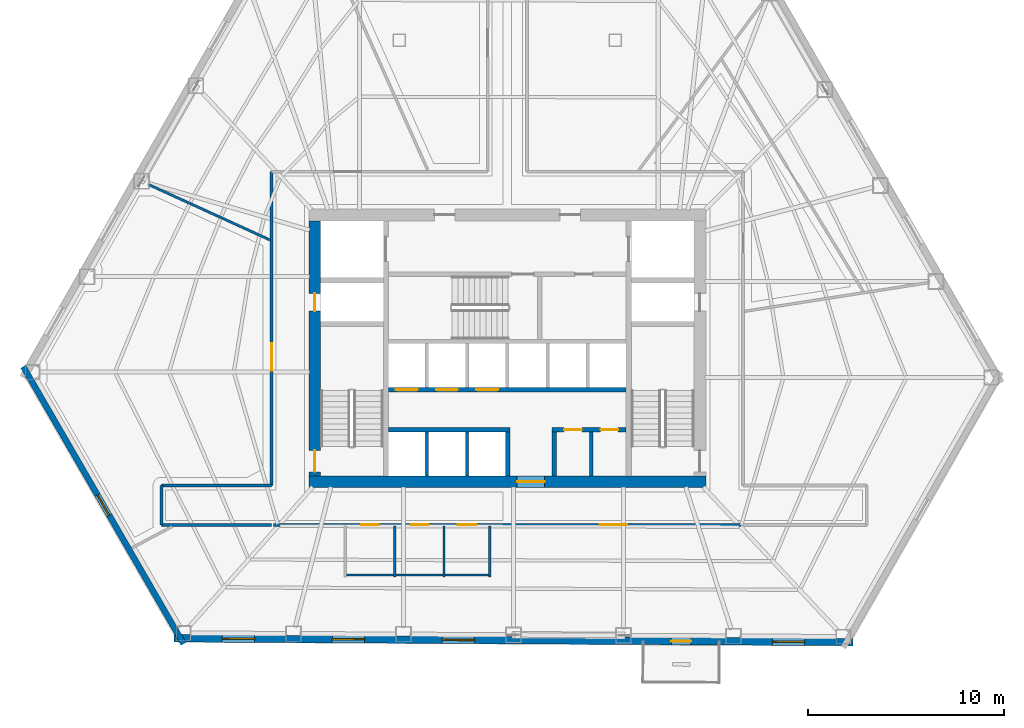
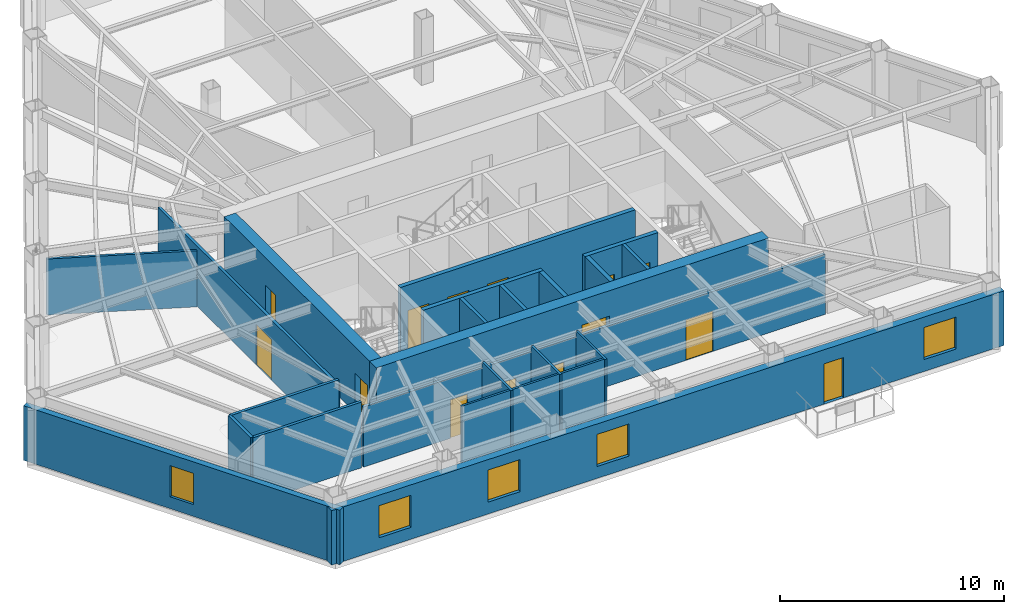
# One storey, part 6 of 12: 22 walls, 14 doors, 5 windows, 19 openings.
"""IFC4 building model written with IfcOpenShell, lengths in metres."""

import ifcopenshell
import ifcopenshell.guid

model = None  # the IFC model being written
_history = None  # IfcOwnerHistory: only IFC2X3 demands one
_inside = {}  # id of a spatial element -> (the spatial element, [elements in it])
_under = {}  # id of a project, library or spatial element -> (it, [spatial elements below it])
_declared = {}  # id of a project -> (the project, [libraries it declares])
_typed = {}  # id of a type object -> (the type object, [elements of that type])
_made_of = {}  # id of a material, layer set ... -> (it, [elements and type objects made of it])


def new_model(schema):
    """Start an empty IFC model of exactly this schema.

    Asked for "IFC4X3", IfcOpenShell would pick the latest addendum, in which some entities
    have other attributes; the version numbers below select the first issue.
    IFC2X3 requires an IfcOwnerHistory on every rooted entity: one is made here for all.
    """
    global model, _history
    if schema == "IFC4X3":
        model = ifcopenshell.file(schema_version=(4, 3, 0, 0))
    else:
        model = ifcopenshell.file(schema=schema)
    _inside.clear()
    _under.clear()
    _declared.clear()
    _typed.clear()
    _made_of.clear()
    _history = None
    if model.schema == "IFC2X3":
        org = make("IfcOrganization", Name="unknown")
        user = make(
            "IfcPersonAndOrganization",
            ThePerson=make("IfcPerson", FamilyName="unknown"),
            TheOrganization=org,
        )
        app = make(
            "IfcApplication",
            ApplicationDeveloper=org,
            Version="unknown",
            ApplicationFullName="unknown",
            ApplicationIdentifier="unknown",
        )
        _history = make(
            "IfcOwnerHistory",
            OwningUser=user,
            OwningApplication=app,
            ChangeAction="ADDED",
            CreationDate=0,
        )
    return model


def make(cls, **values):
    """One entity of the class cls with the attributes given. An attribute that is None is left unset."""
    return model.create_entity(
        cls, **{name: value for name, value in values.items() if value is not None}
    )


def rooted(cls, **values):
    """An entity with a GlobalId (a new one), such as an element, a storey or a relation."""
    return make(cls, GlobalId=ifcopenshell.guid.new(), OwnerHistory=_history, **values)


def si_unit(unit_type, name, prefix=None):
    """IfcSIUnit, for example si_unit("LENGTHUNIT", "METRE", prefix="MILLI")."""
    return make("IfcSIUnit", UnitType=unit_type, Prefix=prefix, Name=name)


def assignment(units):
    """IfcUnitAssignment: the units of a project."""
    return None if units is None else make("IfcUnitAssignment", Units=units)


def point(xyz):
    """IfcCartesianPoint."""
    return None if xyz is None else make("IfcCartesianPoint", Coordinates=xyz)


def direction(xyz):
    """IfcDirection."""
    return None if xyz is None else make("IfcDirection", DirectionRatios=xyz)


def frame(location, z_axis=None, x_axis=None):
    """IfcAxis2Placement3D, a coordinate frame: its origin and axes. An axis left out is left unset."""
    return make(
        "IfcAxis2Placement3D",
        Location=point(location),
        Axis=direction(z_axis),
        RefDirection=direction(x_axis),
    )


def frame_2d(location, x_axis=None):
    """IfcAxis2Placement2D, a coordinate frame in the plane: its origin and x axis."""
    return make(
        "IfcAxis2Placement2D", Location=point(location), RefDirection=direction(x_axis)
    )


def origin():
    """The frame at (0, 0, 0) with its axes left unset."""
    return frame((0.0, 0.0, 0.0))


def place(relative_to, where):
    """IfcLocalPlacement: puts the frame where relative to a parent placement (None: the world)."""
    return make(
        "IfcLocalPlacement", PlacementRelTo=relative_to, RelativePlacement=where
    )


def context(
    kind, dimensions, precision=None, world=None, true_north=None, identifier=None
):
    """IfcGeometricRepresentationContext, for example the 3D "Model" context."""
    return make(
        "IfcGeometricRepresentationContext",
        ContextIdentifier=identifier,
        ContextType=kind,
        CoordinateSpaceDimension=dimensions,
        Precision=precision,
        WorldCoordinateSystem=world,
        TrueNorth=true_north,
    )


def subcontext(parent, identifier, kind, view, scale=None):
    """IfcGeometricRepresentationSubContext, for example "Body" below "Model"."""
    return make(
        "IfcGeometricRepresentationSubContext",
        ContextIdentifier=identifier,
        ContextType=kind,
        ParentContext=parent,
        TargetScale=scale,
        TargetView=view,
    )


def project(units=None, contexts=None):
    """IfcProject with its units and contexts."""
    return rooted(
        "IfcProject",
        Name="project",
        RepresentationContexts=contexts,
        UnitsInContext=assignment(units),
    )


def spatial(cls, under=None, at=None, **own):
    """A site, building, storey or space (cls), placed at a placement, below another one or the project."""
    s = rooted(cls, ObjectPlacement=at, **own)
    if under is not None:
        _under.setdefault(under.id(), (under, []))[1].append(s)
    return s


def profile(cls, at=None, kind="AREA", **sizes):
    """A parametric profile (cls). Its sizes go by their IFC names, for example OverallWidth=200.0."""
    return make(cls, ProfileType=kind, Position=at, **sizes)


def rectangle(**sizes):
    """IfcRectangleProfileDef."""
    return profile("IfcRectangleProfileDef", **sizes)


def extrude(swept, where, along, depth):
    """IfcExtrudedAreaSolid: the profile swept, set in the frame where, extruded along a direction by depth."""
    return make(
        "IfcExtrudedAreaSolid",
        SweptArea=swept,
        Position=where,
        ExtrudedDirection=direction(along),
        Depth=depth,
    )


def shape(context_of_items, identifier, shape_type, items):
    """IfcShapeRepresentation: the items that make up one representation, for example the "Body"."""
    return make(
        "IfcShapeRepresentation",
        ContextOfItems=context_of_items,
        RepresentationIdentifier=identifier,
        RepresentationType=shape_type,
        Items=items,
    )


def material(Name=None, Category=None):
    """IfcMaterial."""
    return make("IfcMaterial", Name=Name, Category=Category)


def layer(
    of_material, thickness, ventilated=None, Name=None, Category=None, Priority=None
):
    """IfcMaterialLayer: one layer of a wall or slab, of a material (None: an air gap)."""
    return make(
        "IfcMaterialLayer",
        Material=of_material,
        LayerThickness=thickness,
        IsVentilated=ventilated,
        Name=Name,
        Category=Category,
        Priority=Priority,
    )


def layer_set(layers, Name=None):
    """IfcMaterialLayerSet."""
    return make("IfcMaterialLayerSet", MaterialLayers=layers, LayerSetName=Name)


def made_of(thing, what):
    """Note that an element or type object is made of a material, layer set ...; save() writes the relation."""
    if what is not None:
        _made_of.setdefault(what.id(), (what, []))[1].append(thing)
    return thing


def type_object(cls, material=None, **own):
    """A type object (cls), such as IfcWallType, which elements share."""
    return made_of(rooted(cls, **own), material)


def element(
    cls,
    number,
    at=None,
    inside=None,
    cuts=None,
    type_object=None,
    material=None,
    context=None,
    identifier="Body",
    shape_type=None,
    held_by="IfcProductDefinitionShape",
    body=None,
    shapes=None,
    **own,
):
    """One element of the class cls, such as IfcWall. Its Tag is "e" and its number.

    at: its placement. inside: the storey or other place that contains it. cuts: it is an
    opening in that element (IfcRelVoidsElement). A single representation is given by context,
    identifier, shape_type and body (its items); several are given by shapes. held_by: the class
    of the entity that holds the representations. save() writes the other relations.
    """
    e = rooted(cls, Tag="e%d" % number, ObjectPlacement=at, **own)
    if body is not None:
        shapes = [shape(context, identifier, shape_type, body)]
    if shapes is not None:
        e.Representation = make(held_by, Representations=shapes)
    if inside is not None:
        _inside.setdefault(inside.id(), (inside, []))[1].append(e)
    if cuts is not None:
        rooted(
            "IfcRelVoidsElement", RelatingBuildingElement=cuts, RelatedOpeningElement=e
        )
    if type_object is not None:
        _typed.setdefault(type_object.id(), (type_object, []))[1].append(e)
    return made_of(e, material)


def fill(opening, filler):
    """IfcRelFillsElement: the door or window that sits in an opening."""
    return rooted(
        "IfcRelFillsElement",
        RelatingOpeningElement=opening,
        RelatedBuildingElement=filler,
    )


def aggregate(whole, parts):
    """IfcRelAggregates: a whole, such as a stair, and the parts it consists of."""
    return rooted("IfcRelAggregates", RelatingObject=whole, RelatedObjects=parts)


def save(model, path):
    """Write the relations noted so far, then the file.

    IfcRelAggregates (storeys below a building ...), IfcRelContainedInSpatialStructure (elements
    in a storey), IfcRelDefinesByType, IfcRelAssociatesMaterial and IfcRelDeclares: one each for
    every whole, place, type object, material and project.
    """
    for whole, parts in _under.values():
        aggregate(whole, parts)
    for where, things in _inside.values():
        rooted(
            "IfcRelContainedInSpatialStructure",
            RelatedElements=things,
            RelatingStructure=where,
        )
    for kind, things in _typed.values():
        rooted("IfcRelDefinesByType", RelatedObjects=things, RelatingType=kind)
    for what, things in _made_of.values():
        rooted("IfcRelAssociatesMaterial", RelatedObjects=things, RelatingMaterial=what)
    for by, libraries in _declared.values():
        rooted("IfcRelDeclares", RelatingContext=by, RelatedDefinitions=libraries)
    model.write(path)


model = new_model("IFC4")

# Units and contexts
model_context = context("Model", 3, precision=1e-05, world=origin(), true_north=direction((0.0, 1.0)))
body_context = subcontext(model_context, "Body", "Model", "MODEL_VIEW")
ifc_project = project(units=[si_unit("LENGTHUNIT", "METRE"), si_unit("AREAUNIT", "SQUARE_METRE"), si_unit("VOLUMEUNIT", "CUBIC_METRE"), si_unit("PLANEANGLEUNIT", "RADIAN"), si_unit("MASSUNIT", "GRAM", prefix="KILO")], contexts=[model_context])

# Site, building, storey
site_placement = place(None, origin())
site = spatial("IfcSite", under=ifc_project, at=site_placement, CompositionType="ELEMENT")
building_placement = place(site_placement, origin())
building = spatial("IfcBuilding", under=site, at=building_placement, Name="Kavelnor Concourse Tower", CompositionType="ELEMENT")
storey_placement = place(building_placement, frame((0.0, 0.0, 40.64990234375)))
storey = spatial("IfcBuildingStorey", under=building, at=storey_placement, Name="L10", CompositionType="ELEMENT", Elevation=40.64990234375)

# Wall, opening, door
ifc_material_1 = material(Name="Concrete C60/75", Category="concrete")
ifc_layer_1 = layer(ifc_material_1, 0.60009765625, Name="Concrete C60/75")
ifc_layer_set_1 = layer_set([ifc_layer_1], Name="Concrete C60/75")
wall_type_1 = type_object("IfcWallType", Name="WL-CORE-Z1-600", PredefinedType="SOLIDWALL", material=ifc_layer_set_1)
wall_1_placement = place(storey_placement, frame((27.8798828125, 9.300048828125, 0.0), z_axis=(0.0, 0.0, 1.0), x_axis=(1.0, 0.0, 0.0)))
wall_1 = element("IfcWall", 1, at=wall_1_placement, inside=storey, type_object=wall_type_1, Name="L10 Central Core South Shear Wall", PredefinedType="SOLIDWALL", context=body_context, shape_type="SweptSolid", body=[
    extrude(rectangle(XDim=20.240234375, YDim=0.60009765625, at=frame_2d((10.1201171875, 0.0))), origin(), (0.0, 0.0, 1.0), 3.590087890625),
])
opening_1_placement = place(wall_1_placement, frame((10.6201171875, 0.0, 0.0)))
opening_1 = element("IfcOpeningElement", 2, at=opening_1_placement, cuts=wall_1, Name="Opening SD-140", PredefinedType="OPENING", context=body_context, shape_type="SweptSolid", body=[
    extrude(rectangle(XDim=1.39990234375, YDim=2.199951171875, at=frame_2d((0.699951171875, 1.10009765625))), frame((0.0, 0.31005859375, 0.0), z_axis=(0.0, -1.0, 0.0), x_axis=(1.0, 0.0, 0.0)), (0.0, 0.0, 1.0), 0.6201171875),
])
ifc_material_2 = material(Name="Solid-core hardwood timber", Category="wood")
door_type_1 = type_object("IfcDoorType", Name="DR-SUITE-ENTRY-1400", OperationType="NOTDEFINED", PredefinedType="DOOR", material=ifc_material_2)
door_1_placement = place(opening_1_placement, origin())
door_1 = element("IfcDoor", 3, at=door_1_placement, inside=storey, type_object=door_type_1, Name="L10 Passenger Lift Lobby Entry Door", OperationType="SINGLE_SWING_LEFT", OverallHeight=2.199951171875, OverallWidth=1.39990234375, PredefinedType="DOOR", context=body_context, shape_type="SweptSolid", body=[
    extrude(rectangle(XDim=1.39990234375, YDim=2.199951171875, at=frame_2d((0.699951171875, 1.10009765625))), frame((0.0, 0.02490234375, 0.0), z_axis=(0.0, -1.0, 0.0), x_axis=(1.0, 0.0, 0.0)), (0.0, 0.0, 1.0), 0.050048828125),
])
fill(opening_1, door_1)

# Wall, openings, doors
wall_2_placement = place(storey_placement, frame((28.179931640625, 9.60009765625, 0.0), z_axis=(0.0, 0.0, 1.0), x_axis=(0.0, 1.0, 0.0)))
wall_2 = element("IfcWall", 4, at=wall_2_placement, inside=storey, type_object=wall_type_1, Name="L10 Central Core West Shear Wall", PredefinedType="SOLIDWALL", context=body_context, shape_type="SweptSolid", body=[
    extrude(rectangle(XDim=13.0, YDim=0.60009765625, at=frame_2d((6.5, 0.0))), origin(), (0.0, 0.0, 1.0), 3.590087890625),
])
opening_2_placement = place(wall_2_placement, frame((0.199951171875, 0.0, 0.0)))
opening_2 = element("IfcOpeningElement", 5, at=opening_2_placement, cuts=wall_2, Name="Opening FD-110", PredefinedType="OPENING", context=body_context, shape_type="SweptSolid", body=[
    extrude(rectangle(XDim=1.10009765625, YDim=2.14990234375, at=frame_2d((0.550048828125, 1.074951171875))), frame((0.0, 0.31005859375, 0.0), z_axis=(0.0, -1.0, 0.0), x_axis=(1.0, 0.0, 0.0)), (0.0, 0.0, 1.0), 0.6201171875),
])
opening_3_placement = place(wall_2_placement, frame((8.39990234375, 0.0, 0.0)))
opening_3 = element("IfcOpeningElement", 6, at=opening_3_placement, cuts=wall_2, Name="Opening FD-090", PredefinedType="OPENING", context=body_context, shape_type="SweptSolid", body=[
    extrude(rectangle(XDim=0.89990234375, YDim=2.10009765625, at=frame_2d((0.449951171875, 1.050048828125))), frame((0.0, 0.31005859375, 0.0), z_axis=(0.0, -1.0, 0.0), x_axis=(1.0, 0.0, 0.0)), (0.0, 0.0, 1.0), 0.6201171875),
])
ifc_material_3 = material(Name="Steel Grade 350", Category="steel")
door_type_2 = type_object("IfcDoorType", Name="DR-RISER-FIRE-900", OperationType="NOTDEFINED", PredefinedType="DOOR", material=ifc_material_3)
door_2_placement = place(opening_3_placement, origin())
door_2 = element("IfcDoor", 7, at=door_2_placement, inside=storey, type_object=door_type_2, Name="L10 West Riser Access Door", OperationType="SINGLE_SWING_RIGHT", OverallHeight=2.10009765625, OverallWidth=0.89990234375, PredefinedType="DOOR", context=body_context, shape_type="SweptSolid", body=[
    extrude(rectangle(XDim=0.89990234375, YDim=2.10009765625, at=frame_2d((0.449951171875, 1.050048828125))), frame((0.0, 0.02490234375, 0.0), z_axis=(0.0, -1.0, 0.0), x_axis=(1.0, 0.0, 0.0)), (0.0, 0.0, 1.0), 0.050048828125),
])
fill(opening_3, door_2)
door_type_3 = type_object("IfcDoorType", Name="DR-STAIR-FIRE-1100", OperationType="NOTDEFINED", PredefinedType="DOOR", material=ifc_material_3)
door_3_placement = place(opening_2_placement, origin())
door_3 = element("IfcDoor", 8, at=door_3_placement, inside=storey, type_object=door_type_3, Name="L10 Stair ST1 Fire Door", OperationType="SINGLE_SWING_LEFT", OverallHeight=2.14990234375, OverallWidth=1.10009765625, PredefinedType="DOOR", context=body_context, shape_type="SweptSolid", body=[
    extrude(rectangle(XDim=1.10009765625, YDim=2.14990234375, at=frame_2d((0.550048828125, 1.074951171875))), frame((0.0, 0.02490234375, 0.0), z_axis=(0.0, -1.0, 0.0), x_axis=(1.0, 0.0, 0.0)), (0.0, 0.0, 1.0), 0.050048828125),
])
fill(opening_2, door_3)

# Wall, opening, window
ifc_material_4 = material(Name="Buff ironspot clay face brick masonry", Category="masonry")
ifc_layer_2 = layer(ifc_material_4, 0.300048828125, Name="Buff ironspot clay face brick masonry")
ifc_layer_set_2 = layer_set([ifc_layer_2], Name="Buff ironspot clay face brick masonry")
wall_type_2 = type_object("IfcWallType", Name="WL-EXT-BUFF-BRICK-FOLD-300", PredefinedType="STANDARD", material=ifc_layer_set_2)
wall_3_placement = place(storey_placement, frame((21.494873046875, 1.03515625, 0.0), z_axis=(0.0, 0.0, 1.0), x_axis=(-0.500661817397, 0.865642966009, 0.0)))
wall_3 = element("IfcWall", 9, at=wall_3_placement, inside=storey, type_object=wall_type_2, Name="L10 Exterior Brick Facade Wall E2", PredefinedType="STANDARD", context=body_context, shape_type="SweptSolid", body=[
    extrude(rectangle(XDim=16.322265625, YDim=0.300048828125, at=frame_2d((8.1611328125, 0.0))), origin(), (0.0, 0.0, 1.0), 2.97021484375),
])
opening_4_placement = place(wall_3_placement, frame((7.56103515625, 0.0, 0.64990234375)))
opening_4 = element("IfcOpeningElement", 10, at=opening_4_placement, cuts=wall_3, Name="Opening W-05", PredefinedType="OPENING", context=body_context, shape_type="SweptSolid", body=[
    extrude(rectangle(XDim=1.199951171875, YDim=1.699951171875, at=frame_2d((0.60009765625, 0.85009765625))), frame((0.0, 0.16015625, 0.0), z_axis=(0.0, -1.0, 0.0), x_axis=(1.0, 0.0, 0.0)), (0.0, 0.0, 1.0), 0.320068359375),
])
ifc_material_5 = material(Name="Double low-E argon insulated glazing", Category="glass")
window_type_1 = type_object("IfcWindowType", Name="WIN-FOLD-1200", PartitioningType="SINGLE_PANEL", PredefinedType="WINDOW", material=ifc_material_5)
window_1_placement = place(opening_4_placement, origin())
window_1 = element("IfcWindow", 11, at=window_1_placement, inside=storey, type_object=window_type_1, Name="L10 Chamfer-Fold Facet Window C1", OverallHeight=1.699951171875, OverallWidth=1.199951171875, PartitioningType="SINGLE_PANEL", PredefinedType="WINDOW", context=body_context, shape_type="SweptSolid", body=[
    extrude(rectangle(XDim=1.199951171875, YDim=1.699951171875, at=frame_2d((0.60009765625, 0.85009765625))), frame((0.0, 0.030029296875, 0.0), z_axis=(0.0, -1.0, 0.0), x_axis=(1.0, 0.0, 0.0)), (0.0, 0.0, 1.0), 0.06005859375),
])
fill(opening_4, window_1)

# Wall, openings, door, windows
ifc_material_6 = material(Name="Red-ochre clay face brick masonry", Category="masonry")
ifc_layer_3 = layer(ifc_material_6, 0.3798828125, Name="Red-ochre clay face brick masonry")
ifc_layer_set_3 = layer_set([ifc_layer_3], Name="Red-ochre clay face brick masonry")
wall_type_3 = type_object("IfcWallType", Name="WL-EXT-RED-BRICK-PIER-380", PredefinedType="STANDARD", material=ifc_layer_set_3)
wall_4_placement = place(storey_placement, frame((55.613037109375, 1.12451171875, 0.0), z_axis=(0.0, 0.0, 1.0), x_axis=(-0.999984970022, 0.005482675485, 0.0)))
wall_4 = element("IfcWall", 12, at=wall_4_placement, inside=storey, type_object=wall_type_3, Name="L10 Exterior Brick Facade Wall E3", PredefinedType="STANDARD", context=body_context, shape_type="SweptSolid", body=[
    extrude(rectangle(XDim=34.599365234375, YDim=0.3798828125, at=frame_2d((17.2998046875, 0.0))), origin(), (0.0, 0.0, 1.0), 2.97021484375),
])
opening_5_placement = place(wall_4_placement, frame((8.249755859375, 0.0, 0.0)))
opening_5 = element("IfcOpeningElement", 13, at=opening_5_placement, cuts=wall_4, Name="Opening BD-100", PredefinedType="OPENING", context=body_context, shape_type="SweptSolid", body=[
    extrude(rectangle(XDim=1.0, YDim=2.199951171875, at=frame_2d((0.5, 1.10009765625))), frame((0.0, 0.199951171875, 0.0), z_axis=(0.0, -1.0, 0.0), x_axis=(1.0, 0.0, 0.0)), (0.0, 0.0, 1.0), 0.39990234375),
])
opening_6_placement = place(wall_4_placement, frame((30.49560546875, 0.0, 0.64990234375)))
opening_6 = element("IfcOpeningElement", 14, at=opening_6_placement, cuts=wall_4, Name="Opening W-01", PredefinedType="OPENING", context=body_context, shape_type="SweptSolid", body=[
    extrude(rectangle(XDim=1.64990234375, YDim=1.75, at=frame_2d((0.824951171875, 0.875))), frame((0.0, 0.199951171875, 0.0), z_axis=(0.0, -1.0, 0.0), x_axis=(1.0, 0.0, 0.0)), (0.0, 0.0, 1.0), 0.39990234375),
])
opening_7_placement = place(wall_4_placement, frame((24.88818359375, 0.0, 0.64990234375)))
opening_7 = element("IfcOpeningElement", 15, at=opening_7_placement, cuts=wall_4, Name="Opening W-01", PredefinedType="OPENING", context=body_context, shape_type="SweptSolid", body=[
    extrude(rectangle(XDim=1.64990234375, YDim=1.75, at=frame_2d((0.824951171875, 0.875))), frame((0.0, 0.199951171875, 0.0), z_axis=(0.0, -1.0, 0.0), x_axis=(1.0, 0.0, 0.0)), (0.0, 0.0, 1.0), 0.39990234375),
])
opening_8_placement = place(wall_4_placement, frame((19.281005859375, 0.0, 0.64990234375)))
opening_8 = element("IfcOpeningElement", 16, at=opening_8_placement, cuts=wall_4, Name="Opening W-01", PredefinedType="OPENING", context=body_context, shape_type="SweptSolid", body=[
    extrude(rectangle(XDim=1.64990234375, YDim=1.75, at=frame_2d((0.824951171875, 0.875))), frame((0.0, 0.199951171875, 0.0), z_axis=(0.0, -1.0, 0.0), x_axis=(1.0, 0.0, 0.0)), (0.0, 0.0, 1.0), 0.39990234375),
])
opening_9_placement = place(wall_4_placement, frame((2.458984375, 0.0, 0.64990234375)))
opening_9 = element("IfcOpeningElement", 17, at=opening_9_placement, cuts=wall_4, Name="Opening W-01", PredefinedType="OPENING", context=body_context, shape_type="SweptSolid", body=[
    extrude(rectangle(XDim=1.64990234375, YDim=1.75, at=frame_2d((0.824951171875, 0.875))), frame((0.0, 0.199951171875, 0.0), z_axis=(0.0, -1.0, 0.0), x_axis=(1.0, 0.0, 0.0)), (0.0, 0.0, 1.0), 0.39990234375),
])
ifc_material_7 = material(Name="Anodised aluminium 6063-T6", Category="aluminium")
door_type_4 = type_object("IfcDoorType", Name="DR-BALCONY-EXT-1000", OperationType="NOTDEFINED", PredefinedType="DOOR", material=ifc_material_7)
door_4_placement = place(opening_5_placement, origin())
door_4 = element("IfcDoor", 18, at=door_4_placement, inside=storey, type_object=door_type_4, Name="L10 Tree Balcony 1 Glazed Door", OperationType="SINGLE_SWING_LEFT", OverallHeight=2.199951171875, OverallWidth=1.0, PredefinedType="DOOR", context=body_context, shape_type="SweptSolid", body=[
    extrude(rectangle(XDim=1.0, YDim=2.199951171875, at=frame_2d((0.5, 1.10009765625))), frame((0.0, 0.02490234375, 0.0), z_axis=(0.0, -1.0, 0.0), x_axis=(1.0, 0.0, 0.0)), (0.0, 0.0, 1.0), 0.050048828125),
])
fill(opening_5, door_4)
window_type_2 = type_object("IfcWindowType", Name="WIN-PIER-Z1-1800", PartitioningType="SINGLE_PANEL", PredefinedType="WINDOW", material=ifc_material_5)
window_2_placement = place(opening_6_placement, origin())
window_2 = element("IfcWindow", 19, at=window_2_placement, inside=storey, type_object=window_type_2, Name="L10 Deep-Set Brick Pier Window F1-B0", OverallHeight=1.75, OverallWidth=1.64990234375, PartitioningType="SINGLE_PANEL", PredefinedType="WINDOW", context=body_context, shape_type="SweptSolid", body=[
    extrude(rectangle(XDim=1.64990234375, YDim=1.75, at=frame_2d((0.824951171875, 0.875))), frame((0.0, 0.030029296875, 0.0), z_axis=(0.0, -1.0, 0.0), x_axis=(1.0, 0.0, 0.0)), (0.0, 0.0, 1.0), 0.06005859375),
])
fill(opening_6, window_2)
window_3_placement = place(opening_7_placement, origin())
window_3 = element("IfcWindow", 20, at=window_3_placement, inside=storey, type_object=window_type_2, Name="L10 Deep-Set Brick Pier Window F1-B1", OverallHeight=1.75, OverallWidth=1.64990234375, PartitioningType="SINGLE_PANEL", PredefinedType="WINDOW", context=body_context, shape_type="SweptSolid", body=[
    extrude(rectangle(XDim=1.64990234375, YDim=1.75, at=frame_2d((0.824951171875, 0.875))), frame((0.0, 0.030029296875, 0.0), z_axis=(0.0, -1.0, 0.0), x_axis=(1.0, 0.0, 0.0)), (0.0, 0.0, 1.0), 0.06005859375),
])
fill(opening_7, window_3)
window_4_placement = place(opening_8_placement, origin())
window_4 = element("IfcWindow", 21, at=window_4_placement, inside=storey, type_object=window_type_2, Name="L10 Deep-Set Brick Pier Window F1-B2", OverallHeight=1.75, OverallWidth=1.64990234375, PartitioningType="SINGLE_PANEL", PredefinedType="WINDOW", context=body_context, shape_type="SweptSolid", body=[
    extrude(rectangle(XDim=1.64990234375, YDim=1.75, at=frame_2d((0.824951171875, 0.875))), frame((0.0, 0.030029296875, 0.0), z_axis=(0.0, -1.0, 0.0), x_axis=(1.0, 0.0, 0.0)), (0.0, 0.0, 1.0), 0.06005859375),
])
fill(opening_8, window_4)
window_5_placement = place(opening_9_placement, origin())
window_5 = element("IfcWindow", 22, at=window_5_placement, inside=storey, type_object=window_type_2, Name="L10 Deep-Set Brick Pier Window F1-B5", OverallHeight=1.75, OverallWidth=1.64990234375, PartitioningType="SINGLE_PANEL", PredefinedType="WINDOW", context=body_context, shape_type="SweptSolid", body=[
    extrude(rectangle(XDim=1.64990234375, YDim=1.75, at=frame_2d((0.824951171875, 0.875))), frame((0.0, 0.030029296875, 0.0), z_axis=(0.0, -1.0, 0.0), x_axis=(1.0, 0.0, 0.0)), (0.0, 0.0, 1.0), 0.06005859375),
])
fill(opening_9, window_5)

# Wall
ifc_material_8 = material(Name="Gypsum plasterboard on light-gauge steel studs", Category="steel")
ifc_layer_4 = layer(ifc_material_8, 0.14501953125, Name="Gypsum plasterboard on light-gauge steel studs")
ifc_layer_set_4 = layer_set([ifc_layer_4], Name="Gypsum plasterboard on light-gauge steel studs")
wall_type_4 = type_object("IfcWallType", Name="WL-INT-CORR-145", PredefinedType="PARTITIONING", material=ifc_layer_set_4)
wall_5_placement = place(storey_placement, frame((20.365234375, 9.10009765625, 0.0), z_axis=(0.0, 0.0, 1.0), x_axis=(1.0, 0.0, 0.0)))
element("IfcWall", 23, at=wall_5_placement, inside=storey, type_object=wall_type_4, Name="L10 Corridor Wall WL-L10-CR-01", PredefinedType="PARTITIONING", context=body_context, shape_type="SweptSolid", body=[
    extrude(rectangle(XDim=5.61474609375, YDim=0.14501953125, at=frame_2d((2.807373046875, 0.0))), origin(), (0.0, 0.0, 1.0), 3.590087890625),
])

# Wall, opening, door
wall_6_placement = place(storey_placement, frame((25.97998046875, 9.10009765625, 0.0), z_axis=(0.0, 0.0, 1.0), x_axis=(0.0, 1.0, 0.0)))
wall_6 = element("IfcWall", 24, at=wall_6_placement, inside=storey, type_object=wall_type_4, Name="L10 Corridor Wall WL-L10-CR-02", PredefinedType="PARTITIONING", context=body_context, shape_type="SweptSolid", body=[
    extrude(rectangle(XDim=16.0, YDim=0.14501953125, at=frame_2d((8.0, 0.0))), origin(), (0.0, 0.0, 1.0), 3.278076171875),
])
opening_10_placement = place(wall_6_placement, frame((5.84423828125, 0.0, 0.0)))
opening_10 = element("IfcOpeningElement", 25, at=opening_10_placement, cuts=wall_6, Name="Opening SD-140", PredefinedType="OPENING", context=body_context, shape_type="SweptSolid", body=[
    extrude(rectangle(XDim=1.39990234375, YDim=2.199951171875, at=frame_2d((0.699951171875, 1.10009765625))), frame((0.0, 0.08251953125, 0.0), z_axis=(0.0, -1.0, 0.0), x_axis=(1.0, 0.0, 0.0)), (0.0, 0.0, 1.0), 0.1650390625),
])
door_5_placement = place(opening_10_placement, origin())
door_5 = element("IfcDoor", 26, at=door_5_placement, inside=storey, type_object=door_type_1, Name="L10 Architectural Design Studio 05 Door", OperationType="SINGLE_SWING_RIGHT", OverallHeight=2.199951171875, OverallWidth=1.39990234375, PredefinedType="DOOR", context=body_context, shape_type="SweptSolid", body=[
    extrude(rectangle(XDim=1.39990234375, YDim=2.199951171875, at=frame_2d((0.699951171875, 1.10009765625))), frame((0.0, 0.02490234375, 0.0), z_axis=(0.0, -1.0, 0.0), x_axis=(1.0, 0.0, 0.0)), (0.0, 0.0, 1.0), 0.050048828125),
])
fill(opening_10, door_5)

# Wall, openings, doors
wall_7_placement = place(storey_placement, frame((49.919921875, 7.10009765625, 0.0), z_axis=(0.0, 0.0, 1.0), x_axis=(-1.0, 0.0, 0.0)))
wall_7 = element("IfcWall", 27, at=wall_7_placement, inside=storey, type_object=wall_type_4, Name="L10 Corridor Wall WL-L10-CR-12", PredefinedType="PARTITIONING", context=body_context, shape_type="SweptSolid", body=[
    extrude(rectangle(XDim=23.83984375, YDim=0.14501953125, at=frame_2d((11.919921875, 0.0))), origin(), (0.0, 0.0, 1.0), 3.278076171875),
])
opening_11_placement = place(wall_7_placement, frame((18.47998046875, 0.0, 0.0)))
opening_11 = element("IfcOpeningElement", 28, at=opening_11_placement, cuts=wall_7, Name="Opening WD-088", PredefinedType="OPENING", context=body_context, shape_type="SweptSolid", body=[
    extrude(rectangle(XDim=0.8798828125, YDim=2.10009765625, at=frame_2d((0.43994140625, 1.050048828125))), frame((0.0, 0.08251953125, 0.0), z_axis=(0.0, -1.0, 0.0), x_axis=(1.0, 0.0, 0.0)), (0.0, 0.0, 1.0), 0.1650390625),
])
opening_12_placement = place(wall_7_placement, frame((15.9599609375, 0.0, 0.0)))
opening_12 = element("IfcOpeningElement", 29, at=opening_12_placement, cuts=wall_7, Name="Opening WD-088", PredefinedType="OPENING", context=body_context, shape_type="SweptSolid", body=[
    extrude(rectangle(XDim=0.8798828125, YDim=2.10009765625, at=frame_2d((0.43994140625, 1.050048828125))), frame((0.0, 0.08251953125, 0.0), z_axis=(0.0, -1.0, 0.0), x_axis=(1.0, 0.0, 0.0)), (0.0, 0.0, 1.0), 0.1650390625),
])
opening_13_placement = place(wall_7_placement, frame((13.5, 0.0, 0.0)))
opening_13 = element("IfcOpeningElement", 30, at=opening_13_placement, cuts=wall_7, Name="Opening WD-096", PredefinedType="OPENING", context=body_context, shape_type="SweptSolid", body=[
    extrude(rectangle(XDim=0.9599609375, YDim=2.10009765625, at=frame_2d((0.47998046875, 1.050048828125))), frame((0.0, 0.08251953125, 0.0), z_axis=(0.0, -1.0, 0.0), x_axis=(1.0, 0.0, 0.0)), (0.0, 0.0, 1.0), 0.1650390625),
])
opening_14_placement = place(wall_7_placement, frame((5.800537109375, 0.0, 0.0)))
opening_14 = element("IfcOpeningElement", 31, at=opening_14_placement, cuts=wall_7, Name="Opening SD-140", PredefinedType="OPENING", context=body_context, shape_type="SweptSolid", body=[
    extrude(rectangle(XDim=1.39990234375, YDim=2.199951171875, at=frame_2d((0.699951171875, 1.10009765625))), frame((0.0, 0.08251953125, 0.0), z_axis=(0.0, -1.0, 0.0), x_axis=(1.0, 0.0, 0.0)), (0.0, 0.0, 1.0), 0.1650390625),
])
door_6_placement = place(opening_14_placement, origin())
door_6 = element("IfcDoor", 32, at=door_6_placement, inside=storey, type_object=door_type_1, Name="L10 Architectural Design Studio 06 Door", OperationType="SINGLE_SWING_LEFT", OverallHeight=2.199951171875, OverallWidth=1.39990234375, PredefinedType="DOOR", context=body_context, shape_type="SweptSolid", body=[
    extrude(rectangle(XDim=1.39990234375, YDim=2.199951171875, at=frame_2d((0.699951171875, 1.10009765625))), frame((0.0, 0.02490234375, 0.0), z_axis=(0.0, -1.0, 0.0), x_axis=(1.0, 0.0, 0.0)), (0.0, 0.0, 1.0), 0.050048828125),
])
fill(opening_14, door_6)
door_type_5 = type_object("IfcDoorType", Name="DR-WC-ACC-960", OperationType="NOTDEFINED", PredefinedType="DOOR", material=ifc_material_2)
door_7_placement = place(opening_13_placement, origin())
door_7 = element("IfcDoor", 33, at=door_7_placement, inside=storey, type_object=door_type_5, Name="L10 Accessible WC Door", OperationType="SINGLE_SWING_LEFT", OverallHeight=2.10009765625, OverallWidth=0.9599609375, PredefinedType="DOOR", context=body_context, shape_type="SweptSolid", body=[
    extrude(rectangle(XDim=0.9599609375, YDim=2.10009765625, at=frame_2d((0.47998046875, 1.050048828125))), frame((0.0, 0.02490234375, 0.0), z_axis=(0.0, -1.0, 0.0), x_axis=(1.0, 0.0, 0.0)), (0.0, 0.0, 1.0), 0.050048828125),
])
fill(opening_13, door_7)
door_type_6 = type_object("IfcDoorType", Name="DR-WC-STD-880", OperationType="NOTDEFINED", PredefinedType="DOOR", material=ifc_material_2)
door_8_placement = place(opening_11_placement, origin())
door_8 = element("IfcDoor", 34, at=door_8_placement, inside=storey, type_object=door_type_6, Name="L10 Male WC Door", OperationType="SINGLE_SWING_LEFT", OverallHeight=2.10009765625, OverallWidth=0.8798828125, PredefinedType="DOOR", context=body_context, shape_type="SweptSolid", body=[
    extrude(rectangle(XDim=0.8798828125, YDim=2.10009765625, at=frame_2d((0.43994140625, 1.050048828125))), frame((0.0, 0.02490234375, 0.0), z_axis=(0.0, -1.0, 0.0), x_axis=(1.0, 0.0, 0.0)), (0.0, 0.0, 1.0), 0.050048828125),
])
fill(opening_11, door_8)
door_9_placement = place(opening_12_placement, origin())
door_9 = element("IfcDoor", 35, at=door_9_placement, inside=storey, type_object=door_type_6, Name="L10 Female WC Door", OperationType="SINGLE_SWING_RIGHT", OverallHeight=2.10009765625, OverallWidth=0.8798828125, PredefinedType="DOOR", context=body_context, shape_type="SweptSolid", body=[
    extrude(rectangle(XDim=0.8798828125, YDim=2.10009765625, at=frame_2d((0.43994140625, 1.050048828125))), frame((0.0, 0.02490234375, 0.0), z_axis=(0.0, -1.0, 0.0), x_axis=(1.0, 0.0, 0.0)), (0.0, 0.0, 1.0), 0.050048828125),
])
fill(opening_12, door_9)

# Walls
wall_8_placement = place(storey_placement, frame((25.97998046875, 7.10009765625, 0.0), z_axis=(0.0, 0.0, 1.0), x_axis=(-1.0, 0.0, 0.0)))
element("IfcWall", 36, at=wall_8_placement, inside=storey, type_object=wall_type_4, Name="L10 Corridor Wall WL-L10-CR-13", PredefinedType="PARTITIONING", context=body_context, shape_type="SweptSolid", body=[
    extrude(rectangle(XDim=5.61474609375, YDim=0.14501953125, at=frame_2d((2.807373046875, 0.0))), origin(), (0.0, 0.0, 1.0), 3.590087890625),
])
wall_9_placement = place(storey_placement, frame((20.365234375, 7.10009765625, 0.0), z_axis=(0.0, 0.0, 1.0), x_axis=(0.0, 1.0, 0.0)))
element("IfcWall", 37, at=wall_9_placement, inside=storey, type_object=wall_type_4, Name="L10 Corridor Wall WL-L10-CR-14", PredefinedType="PARTITIONING", context=body_context, shape_type="SweptSolid", body=[
    extrude(rectangle(XDim=2.0, YDim=0.14501953125, at=frame_2d((1.0, 0.0))), origin(), (0.0, 0.0, 1.0), 3.590087890625),
])
ifc_layer_5 = layer(ifc_material_8, 0.1650390625, Name="Gypsum plasterboard on light-gauge steel studs")
ifc_layer_set_5 = layer_set([ifc_layer_5], Name="Gypsum plasterboard on light-gauge steel studs")
wall_type_5 = type_object("IfcWallType", Name="WL-INT-FIRE-165", PredefinedType="PARTITIONING", material=ifc_layer_set_5)
for number, where, z_axis, x_axis, name in (
    (38, (33.89990234375, 9.60009765625, 0.0), (0.0, 0.0, 1.0), (0.0, 1.0, 0.0), "L10 Lift Shaft Divider LP7"),
    (39, (35.949951171875, 9.60009765625, 0.0), (0.0, 0.0, 1.0), (0.0, 1.0, 0.0), "L10 Lift Shaft Divider LP8"),
    (40, (42.280029296875, 9.60009765625, 0.0), (0.0, 0.0, 1.0), (0.0, 1.0, 0.0), "L10 Core Support Divider"),
):
    element("IfcWall", number, at=place(storey_placement, frame(where, z_axis=z_axis, x_axis=x_axis)), inside=storey, type_object=wall_type_5, Name=name, PredefinedType="PARTITIONING", context=body_context, shape_type="SweptSolid", body=[
        extrude(rectangle(XDim=2.239990234375, YDim=0.1650390625, at=frame_2d((1.1201171875, 0.0))), origin(), (0.0, 0.0, 1.0), 3.590087890625),
    ])
ifc_layer_6 = layer(ifc_material_8, 0.125, Name="Gypsum plasterboard on light-gauge steel studs")
ifc_layer_set_6 = layer_set([ifc_layer_6], Name="Gypsum plasterboard on light-gauge steel studs")
wall_type_6 = type_object("IfcWallType", Name="WL-INT-SUITE-125", PredefinedType="PARTITIONING", material=ifc_layer_set_6)
wall_10_placement = place(storey_placement, frame((25.8994140625, 21.622802734375, 0.0), z_axis=(0.0, 0.0, 1.0), x_axis=(-0.909736399744, 0.415186323209, 0.0)))
element("IfcWall", 41, at=wall_10_placement, inside=storey, type_object=wall_type_6, Name="L10 Radial Suite Partition 04", PredefinedType="PARTITIONING", context=body_context, shape_type="SweptSolid", body=[
    extrude(rectangle(XDim=6.752197265625, YDim=0.125, at=frame_2d((3.3759765625, 0.0))), origin(), (0.0, 0.0, 1.0), 3.05712890625),
])
ifc_layer_7 = layer(ifc_material_8, 0.110107421875, Name="Gypsum plasterboard on light-gauge steel studs")
ifc_layer_set_7 = layer_set([ifc_layer_7], Name="Gypsum plasterboard on light-gauge steel studs")
wall_type_7 = type_object("IfcWallType", Name="WL-INT-WC-110", PredefinedType="PLUMBINGWALL", material=ifc_layer_set_7)
for number, where, z_axis, x_axis, name in (
    (42, (32.260009765625, 4.449951171875, 0.0), (0.0, 0.0, 1.0), (0.0, 1.0, 0.0), "L10 Sanitary Partition WL-L10-WC-D1"),
    (43, (34.780029296875, 4.449951171875, 0.0), (0.0, 0.0, 1.0), (0.0, 1.0, 0.0), "L10 Sanitary Partition WL-L10-WC-D2"),
    (44, (37.10009765625, 4.449951171875, 0.0), (0.0, 0.0, 1.0), (0.0, 1.0, 0.0), "L10 Sanitary Partition WL-L10-WC-E"),
):
    element("IfcWall", number, at=place(storey_placement, frame(where, z_axis=z_axis, x_axis=x_axis)), inside=storey, type_object=wall_type_7, Name=name, PredefinedType="PLUMBINGWALL", context=body_context, shape_type="SweptSolid", body=[
        extrude(rectangle(XDim=2.580078125, YDim=0.110107421875, at=frame_2d((1.2900390625, 0.0))), origin(), (0.0, 0.0, 1.0), 3.590087890625),
    ])
wall_11_placement = place(storey_placement, frame((29.68994140625, 4.550048828125, 0.0), z_axis=(0.0, 0.0, 1.0), x_axis=(1.0, 0.0, 0.0)))
element("IfcWall", 45, at=wall_11_placement, inside=storey, type_object=wall_type_7, Name="L10 Sanitary Partition WL-L10-WC-S", PredefinedType="PLUMBINGWALL", context=body_context, shape_type="SweptSolid", body=[
    extrude(rectangle(XDim=7.4599609375, YDim=0.110107421875, at=frame_2d((3.72998046875, 0.0))), origin(), (0.0, 0.0, 1.0), 3.590087890625),
])

# Wall, openings, doors
ifc_material_9 = material(Name="Concrete C50/60", Category="concrete")
ifc_layer_8 = layer(ifc_material_9, 0.219970703125, Name="Concrete C50/60")
ifc_layer_set_8 = layer_set([ifc_layer_8], Name="Concrete C50/60")
wall_type_8 = type_object("IfcWallType", Name="WL-SHAFT-220", PredefinedType="SOLIDWALL", material=ifc_layer_set_8)
wall_12_placement = place(storey_placement, frame((31.93994140625, 13.989990234375, 0.0), z_axis=(0.0, 0.0, 1.0), x_axis=(1.0, 0.0, 0.0)))
wall_12 = element("IfcWall", 46, at=wall_12_placement, inside=storey, type_object=wall_type_8, Name="L10 North Lift Row Shaft Wall", PredefinedType="SOLIDWALL", context=body_context, shape_type="SweptSolid", body=[
    extrude(rectangle(XDim=12.1201171875, YDim=0.219970703125, at=frame_2d((6.06005859375, 0.0))), origin(), (0.0, 0.0, 1.0), 3.590087890625),
])
opening_15_placement = place(wall_12_placement, frame((0.385009765625, 0.0, 0.0)))
opening_15 = element("IfcOpeningElement", 47, at=opening_15_placement, cuts=wall_12, Name="Opening LD-110", PredefinedType="OPENING", context=body_context, shape_type="SweptSolid", body=[
    extrude(rectangle(XDim=1.10009765625, YDim=2.199951171875, at=frame_2d((0.550048828125, 1.10009765625))), frame((0.0, 0.1201171875, 0.0), z_axis=(0.0, -1.0, 0.0), x_axis=(1.0, 0.0, 0.0)), (0.0, 0.0, 1.0), 0.239990234375),
])
opening_16_placement = place(wall_12_placement, frame((2.43505859375, 0.0, 0.0)))
opening_16 = element("IfcOpeningElement", 48, at=opening_16_placement, cuts=wall_12, Name="Opening LD-110", PredefinedType="OPENING", context=body_context, shape_type="SweptSolid", body=[
    extrude(rectangle(XDim=1.10009765625, YDim=2.199951171875, at=frame_2d((0.550048828125, 1.10009765625))), frame((0.0, 0.1201171875, 0.0), z_axis=(0.0, -1.0, 0.0), x_axis=(1.0, 0.0, 0.0)), (0.0, 0.0, 1.0), 0.239990234375),
])
opening_17_placement = place(wall_12_placement, frame((4.485107421875, 0.0, 0.0)))
opening_17 = element("IfcOpeningElement", 49, at=opening_17_placement, cuts=wall_12, Name="Opening LD-110", PredefinedType="OPENING", context=body_context, shape_type="SweptSolid", body=[
    extrude(rectangle(XDim=1.10009765625, YDim=2.199951171875, at=frame_2d((0.550048828125, 1.10009765625))), frame((0.0, 0.1201171875, 0.0), z_axis=(0.0, -1.0, 0.0), x_axis=(1.0, 0.0, 0.0)), (0.0, 0.0, 1.0), 0.239990234375),
])
door_type_7 = type_object("IfcDoorType", Name="DR-LIFT-SLIDING-1100", OperationType="NOTDEFINED", PredefinedType="DOOR", material=ifc_material_3)
door_10_placement = place(opening_15_placement, origin())
door_10 = element("IfcDoor", 50, at=door_10_placement, inside=storey, type_object=door_type_7, Name="L10 Lift LP1 Landing Door", OperationType="DOUBLE_DOOR_SLIDING", OverallHeight=2.199951171875, OverallWidth=1.10009765625, PredefinedType="DOOR", context=body_context, shape_type="SweptSolid", body=[
    extrude(rectangle(XDim=1.10009765625, YDim=2.199951171875, at=frame_2d((0.550048828125, 1.10009765625))), frame((0.0, 0.02490234375, 0.0), z_axis=(0.0, -1.0, 0.0), x_axis=(1.0, 0.0, 0.0)), (0.0, 0.0, 1.0), 0.050048828125),
])
fill(opening_15, door_10)
door_11_placement = place(opening_16_placement, origin())
door_11 = element("IfcDoor", 51, at=door_11_placement, inside=storey, type_object=door_type_7, Name="L10 Lift LP2 Landing Door", OperationType="DOUBLE_DOOR_SLIDING", OverallHeight=2.199951171875, OverallWidth=1.10009765625, PredefinedType="DOOR", context=body_context, shape_type="SweptSolid", body=[
    extrude(rectangle(XDim=1.10009765625, YDim=2.199951171875, at=frame_2d((0.550048828125, 1.10009765625))), frame((0.0, 0.02490234375, 0.0), z_axis=(0.0, -1.0, 0.0), x_axis=(1.0, 0.0, 0.0)), (0.0, 0.0, 1.0), 0.050048828125),
])
fill(opening_16, door_11)
door_12_placement = place(opening_17_placement, origin())
door_12 = element("IfcDoor", 52, at=door_12_placement, inside=storey, type_object=door_type_7, Name="L10 Lift LP3 Landing Door", OperationType="DOUBLE_DOOR_SLIDING", OverallHeight=2.199951171875, OverallWidth=1.10009765625, PredefinedType="DOOR", context=body_context, shape_type="SweptSolid", body=[
    extrude(rectangle(XDim=1.10009765625, YDim=2.199951171875, at=frame_2d((0.550048828125, 1.10009765625))), frame((0.0, 0.02490234375, 0.0), z_axis=(0.0, -1.0, 0.0), x_axis=(1.0, 0.0, 0.0)), (0.0, 0.0, 1.0), 0.050048828125),
])
fill(opening_17, door_12)

# Wall
wall_13_placement = place(storey_placement, frame((31.93994140625, 11.949951171875, 0.0), z_axis=(0.0, 0.0, 1.0), x_axis=(1.0, 0.0, 0.0)))
element("IfcWall", 53, at=wall_13_placement, inside=storey, type_object=wall_type_8, Name="L10 High-Rise Lift Bank North Wall", PredefinedType="SOLIDWALL", context=body_context, shape_type="SweptSolid", body=[
    extrude(rectangle(XDim=6.18994140625, YDim=0.219970703125, at=frame_2d((3.094970703125, 0.0))), origin(), (0.0, 0.0, 1.0), 3.590087890625),
])

# Wall, openings, doors
wall_14_placement = place(storey_placement, frame((40.280029296875, 11.949951171875, 0.0), z_axis=(0.0, 0.0, 1.0), x_axis=(1.0, 0.0, 0.0)))
wall_14 = element("IfcWall", 54, at=wall_14_placement, inside=storey, type_object=wall_type_8, Name="L10 Core South Support North Wall", PredefinedType="SOLIDWALL", context=body_context, shape_type="SweptSolid", body=[
    extrude(rectangle(XDim=3.780029296875, YDim=0.219970703125, at=frame_2d((1.89013671875, 0.0))), origin(), (0.0, 0.0, 1.0), 3.590087890625),
])
opening_18_placement = place(wall_14_placement, frame((0.6201171875, 0.0, 0.0)))
opening_18 = element("IfcOpeningElement", 55, at=opening_18_placement, cuts=wall_14, Name="Opening FD-090", PredefinedType="OPENING", context=body_context, shape_type="SweptSolid", body=[
    extrude(rectangle(XDim=0.89990234375, YDim=2.10009765625, at=frame_2d((0.449951171875, 1.050048828125))), frame((0.0, 0.1201171875, 0.0), z_axis=(0.0, -1.0, 0.0), x_axis=(1.0, 0.0, 0.0)), (0.0, 0.0, 1.0), 0.239990234375),
])
opening_19_placement = place(wall_14_placement, frame((2.469970703125, 0.0, 0.0)))
opening_19 = element("IfcOpeningElement", 56, at=opening_19_placement, cuts=wall_14, Name="Opening FD-090", PredefinedType="OPENING", context=body_context, shape_type="SweptSolid", body=[
    extrude(rectangle(XDim=0.89990234375, YDim=2.10009765625, at=frame_2d((0.449951171875, 1.050048828125))), frame((0.0, 0.1201171875, 0.0), z_axis=(0.0, -1.0, 0.0), x_axis=(1.0, 0.0, 0.0)), (0.0, 0.0, 1.0), 0.239990234375),
])
door_13_placement = place(opening_18_placement, origin())
door_13 = element("IfcDoor", 57, at=door_13_placement, inside=storey, type_object=door_type_2, Name="L10 Cleaner Cupboard Door", OperationType="SINGLE_SWING_RIGHT", OverallHeight=2.10009765625, OverallWidth=0.89990234375, PredefinedType="DOOR", context=body_context, shape_type="SweptSolid", body=[
    extrude(rectangle(XDim=0.89990234375, YDim=2.10009765625, at=frame_2d((0.449951171875, 1.050048828125))), frame((0.0, 0.02490234375, 0.0), z_axis=(0.0, -1.0, 0.0), x_axis=(1.0, 0.0, 0.0)), (0.0, 0.0, 1.0), 0.050048828125),
])
fill(opening_18, door_13)
door_14_placement = place(opening_19_placement, origin())
door_14 = element("IfcDoor", 58, at=door_14_placement, inside=storey, type_object=door_type_2, Name="L10 Supplies Store Door", OperationType="SINGLE_SWING_LEFT", OverallHeight=2.10009765625, OverallWidth=0.89990234375, PredefinedType="DOOR", context=body_context, shape_type="SweptSolid", body=[
    extrude(rectangle(XDim=0.89990234375, YDim=2.10009765625, at=frame_2d((0.449951171875, 1.050048828125))), frame((0.0, 0.02490234375, 0.0), z_axis=(0.0, -1.0, 0.0), x_axis=(1.0, 0.0, 0.0)), (0.0, 0.0, 1.0), 0.050048828125),
])
fill(opening_19, door_14)

# Walls
for number, where, z_axis, x_axis, name in (
    (59, (38.02001953125, 9.60009765625, 0.0), (0.0, 0.0, 1.0), (0.0, 1.0, 0.0), "L10 Lift Lobby Throat West Wall"),
    (60, (40.389892578125, 9.60009765625, 0.0), (0.0, 0.0, 1.0), (0.0, 1.0, 0.0), "L10 Lift Lobby Throat East Wall"),
):
    element("IfcWall", number, at=place(storey_placement, frame(where, z_axis=z_axis, x_axis=x_axis)), inside=storey, type_object=wall_type_8, Name=name, PredefinedType="SOLIDWALL", context=body_context, shape_type="SweptSolid", body=[
        extrude(rectangle(XDim=2.239990234375, YDim=0.219970703125, at=frame_2d((1.1201171875, 0.0))), origin(), (0.0, 0.0, 1.0), 3.590087890625),
    ])

save(model, "model.ifc")
